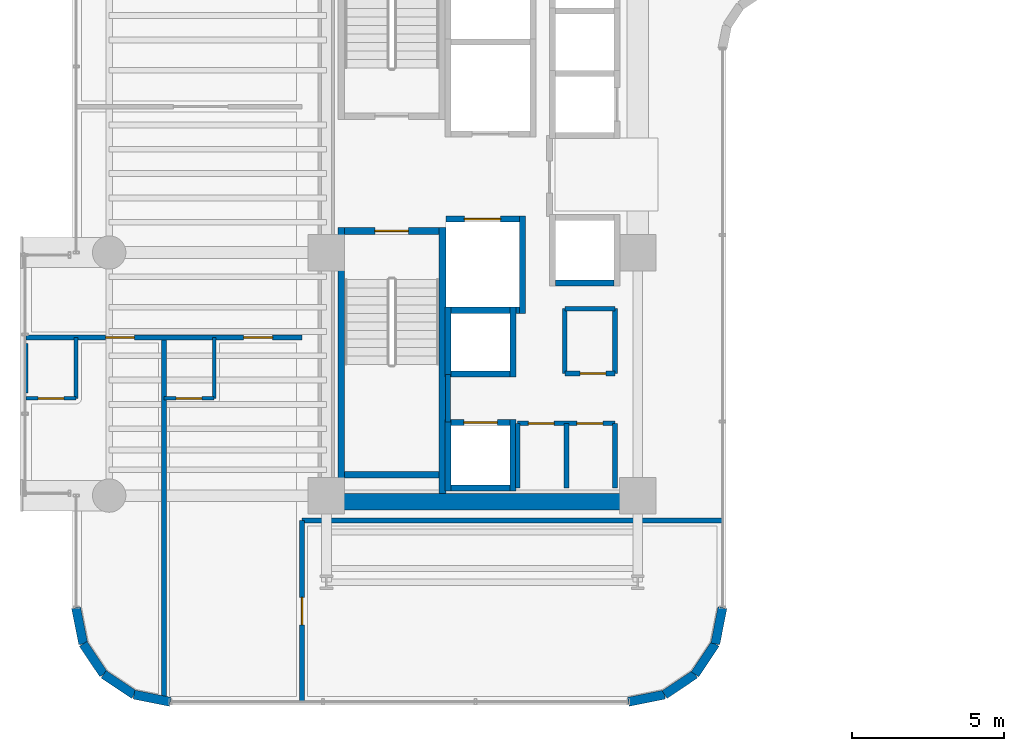
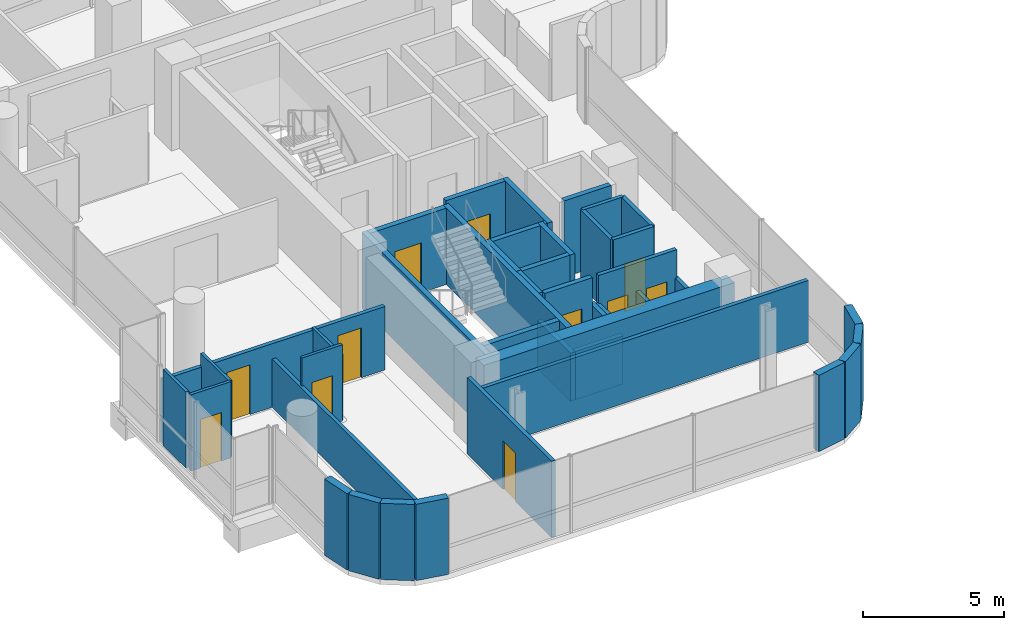
# One storey, part 27 of 35: 42 walls, 11 doors, 11 openings.
"""IFC4 building model written with IfcOpenShell, lengths in metres."""

from ifc_helpers import new_model, si_unit, direction, frame, frame_2d, origin, place, context, subcontext, project, spatial, rectangle, extrude, material, layer, layer_set, type_object, element, fill, save


model = new_model("IFC4")

# Units and contexts
model_context = context("Model", 3, precision=1e-05, world=origin(), true_north=direction((0.0, 1.0)))
body_context = subcontext(model_context, "Body", "Model", "MODEL_VIEW")
ifc_project = project(units=[si_unit("LENGTHUNIT", "METRE"), si_unit("AREAUNIT", "SQUARE_METRE"), si_unit("VOLUMEUNIT", "CUBIC_METRE"), si_unit("PLANEANGLEUNIT", "RADIAN"), si_unit("MASSUNIT", "GRAM", prefix="KILO")], contexts=[model_context])

# Site, building, storey
site_placement = place(None, origin())
site = spatial("IfcSite", under=ifc_project, at=site_placement, CompositionType="ELEMENT")
building_placement = place(site_placement, origin())
building = spatial("IfcBuilding", under=site, at=building_placement, Name="Valdorenza Pilgrim Sanctuary Tower", CompositionType="ELEMENT")
storey_placement = place(building_placement, frame((0.0, 0.0, 168.60009765625)))
storey = spatial("IfcBuildingStorey", under=building, at=storey_placement, Name="L43", CompositionType="ELEMENT", Elevation=168.60009765625)

# Wall
ifc_material_1 = material(Name="Acoustic twin-stud gypsum partition", Category="gypsum")
ifc_layer_1 = layer(ifc_material_1, 0.159912109375, Name="Acoustic twin-stud gypsum partition")
ifc_layer_set_1 = layer_set([ifc_layer_1], Name="Acoustic twin-stud gypsum partition")
wall_type_1 = type_object("IfcWallType", Name="WAL-COR-160", PredefinedType="PARTITIONING", material=ifc_layer_set_1)
wall_1_placement = place(storey_placement, frame((-18.64990234375, -8.179931640625, 0.0), z_axis=(0.0, 0.0, 1.0), x_axis=(0.0, 1.0, 0.0)))
element("IfcWall", 1, at=wall_1_placement, inside=storey, type_object=wall_type_1, Name="L43 Core A South Lift Hall West Wall", PredefinedType="PARTITIONING", context=body_context, shape_type="SweptSolid", body=[
    extrude(rectangle(XDim=1.559814453125, YDim=0.159912109375, at=frame_2d((0.77978515625, 0.0))), origin(), (0.0, 0.0, 1.0), 3.2998046875),
])

# Wall, openings, doors
wall_2_placement = place(storey_placement, frame((-16.35009765625, -8.219970703125, 0.0), z_axis=(0.0, 0.0, 1.0), x_axis=(1.0, 0.0, 0.0)))
wall_2 = element("IfcWall", 2, at=wall_2_placement, inside=storey, type_object=wall_type_1, Name="L43 Freed Shaft 1 North Wall", PredefinedType="PARTITIONING", context=body_context, shape_type="SweptSolid", body=[
    extrude(rectangle(XDim=3.2001953125, YDim=0.159912109375, at=frame_2d((1.60009765625, 0.0))), origin(), (0.0, 0.0, 1.0), 3.2998046875),
])
opening_1_placement = place(wall_2_placement, frame((0.35009765625, 0.0, 0.0)))
opening_1 = element("IfcOpeningElement", 3, at=opening_1_placement, cuts=wall_2, Name="Opening DR-RS1", PredefinedType="OPENING", context=body_context, shape_type="SweptSolid", body=[
    extrude(rectangle(XDim=0.85009765625, YDim=2.050048828125, at=frame_2d((0.425048828125, 1.02490234375))), frame((0.0, 0.0947265625, 0.0), z_axis=(0.0, -1.0, 0.0), x_axis=(1.0, 0.0, 0.0)), (0.0, 0.0, 1.0), 0.189697265625),
])
opening_2_placement = place(wall_2_placement, frame((1.949951171875, 0.0, 0.0)))
opening_2 = element("IfcOpeningElement", 4, at=opening_2_placement, cuts=wall_2, Name="Opening DR-RS1", PredefinedType="OPENING", context=body_context, shape_type="SweptSolid", body=[
    extrude(rectangle(XDim=0.85009765625, YDim=2.050048828125, at=frame_2d((0.425048828125, 1.02490234375))), frame((0.0, 0.0947265625, 0.0), z_axis=(0.0, -1.0, 0.0), x_axis=(1.0, 0.0, 0.0)), (0.0, 0.0, 1.0), 0.189697265625),
])
ifc_material_2 = material(Name="Painted galvanized steel", Category="steel")
door_type_1 = type_object("IfcDoorType", Name="DR-RSR-850", OperationType="NOTDEFINED", PredefinedType="DOOR", material=ifc_material_2)
door_1_placement = place(opening_1_placement, origin())
door_1 = element("IfcDoor", 5, at=door_1_placement, inside=storey, type_object=door_type_1, Name="L43 Linen Store Door", OperationType="SINGLE_SWING_LEFT", OverallHeight=2.050048828125, OverallWidth=0.85009765625, PredefinedType="DOOR", context=body_context, shape_type="SweptSolid", body=[
    extrude(rectangle(XDim=0.85009765625, YDim=2.050048828125, at=frame_2d((0.425048828125, 1.02490234375))), frame((0.0, 0.02490234375, 0.0), z_axis=(0.0, -1.0, 0.0), x_axis=(1.0, 0.0, 0.0)), (0.0, 0.0, 1.0), 0.050048828125),
])
fill(opening_1, door_1)
door_2_placement = place(opening_2_placement, origin())
door_2 = element("IfcDoor", 6, at=door_2_placement, inside=storey, type_object=door_type_1, Name="L43 Cot Store Door", OperationType="SINGLE_SWING_RIGHT", OverallHeight=2.050048828125, OverallWidth=0.85009765625, PredefinedType="DOOR", context=body_context, shape_type="SweptSolid", body=[
    extrude(rectangle(XDim=0.85009765625, YDim=2.050048828125, at=frame_2d((0.425048828125, 1.02490234375))), frame((0.0, 0.02490234375, 0.0), z_axis=(0.0, -1.0, 0.0), x_axis=(1.0, 0.0, 0.0)), (0.0, 0.0, 1.0), 0.050048828125),
])
fill(opening_2, door_2)

# Walls
for number, where, z_axis, x_axis, name in (
    (7, (-13.14990234375, -10.35009765625, 0.0), (0.0, 0.0, 1.0), (0.0, 1.0, 0.0), "L43 Freed Shaft 1 East Wall"),
    (8, (-14.75, -10.35009765625, 0.0), (0.0, 0.0, 1.0), (0.0, 1.0, 0.0), "L43 Freed Shaft 1 Split Wall"),
):
    element("IfcWall", number, at=place(storey_placement, frame(where, z_axis=z_axis, x_axis=x_axis)), inside=storey, type_object=wall_type_1, Name=name, PredefinedType="PARTITIONING", context=body_context, shape_type="SweptSolid", body=[
        extrude(rectangle(XDim=2.130126953125, YDim=0.159912109375, at=frame_2d((1.06494140625, 0.0))), origin(), (0.0, 0.0, 1.0), 2.0849609375),
    ])

# Wall, opening, door
wall_3_placement = place(storey_placement, frame((-14.800048828125, -6.580078125, 0.0), z_axis=(0.0, 0.0, 1.0), x_axis=(1.0, 0.0, 0.0)))
wall_3 = element("IfcWall", 9, at=wall_3_placement, inside=storey, type_object=wall_type_1, Name="L43 Freed Shaft 2 South Wall", PredefinedType="PARTITIONING", context=body_context, shape_type="SweptSolid", body=[
    extrude(rectangle(XDim=1.650146484375, YDim=0.159912109375, at=frame_2d((0.8251953125, 0.0))), origin(), (0.0, 0.0, 1.0), 3.2998046875),
])
opening_3_placement = place(wall_3_placement, frame((0.5, 0.0, 0.0)))
opening_3 = element("IfcOpeningElement", 10, at=opening_3_placement, cuts=wall_3, Name="Opening DR-RS1", PredefinedType="OPENING", context=body_context, shape_type="SweptSolid", body=[
    extrude(rectangle(XDim=0.85009765625, YDim=2.050048828125, at=frame_2d((0.425048828125, 1.02490234375))), frame((0.0, 0.0947265625, 0.0), z_axis=(0.0, -1.0, 0.0), x_axis=(1.0, 0.0, 0.0)), (0.0, 0.0, 1.0), 0.189697265625),
])
door_3_placement = place(opening_3_placement, origin())
door_3 = element("IfcDoor", 11, at=door_3_placement, inside=storey, type_object=door_type_1, Name="L43 Guest Tea Pantry Door", OperationType="SINGLE_SWING_LEFT", OverallHeight=2.050048828125, OverallWidth=0.85009765625, PredefinedType="DOOR", context=body_context, shape_type="SweptSolid", body=[
    extrude(rectangle(XDim=0.85009765625, YDim=2.050048828125, at=frame_2d((0.425048828125, 1.02490234375))), frame((0.0, 0.02490234375, 0.0), z_axis=(0.0, -1.0, 0.0), x_axis=(1.0, 0.0, 0.0)), (0.0, 0.0, 1.0), 0.050048828125),
])
fill(opening_3, door_3)

# Walls
wall_4_placement = place(storey_placement, frame((-13.14990234375, -6.580078125, 0.0), z_axis=(0.0, 0.0, 1.0), x_axis=(0.0, 1.0, 0.0)))
element("IfcWall", 12, at=wall_4_placement, inside=storey, type_object=wall_type_1, Name="L43 Freed Shaft 2 East Wall", PredefinedType="PARTITIONING", context=body_context, shape_type="SweptSolid", body=[
    extrude(rectangle(XDim=2.130126953125, YDim=0.159912109375, at=frame_2d((1.06494140625, 0.0))), origin(), (0.0, 0.0, 1.0), 3.2998046875),
])
wall_5_placement = place(storey_placement, frame((-23.449951171875, -11.419921875, 0.0), z_axis=(0.0, 0.0, 1.0), x_axis=(1.0, 0.0, 0.0)))
element("IfcWall", 13, at=wall_5_placement, inside=storey, type_object=wall_type_1, Name="L43 South-East Pocket North Wall", PredefinedType="PARTITIONING", context=body_context, shape_type="SweptSolid", body=[
    extrude(rectangle(XDim=13.83984375, YDim=0.159912109375, at=frame_2d((6.919921875, 0.0))), origin(), (0.0, 0.0, 1.0), 2.673828125),
])

# Wall, opening, door
wall_6_placement = place(storey_placement, frame((-23.449951171875, -17.389892578125, 0.0), z_axis=(0.0, 0.0, 1.0), x_axis=(0.0, 1.0, 0.0)))
wall_6 = element("IfcWall", 14, at=wall_6_placement, inside=storey, type_object=wall_type_1, Name="L43 South-East Pocket West Wall", PredefinedType="PARTITIONING", context=body_context, shape_type="SweptSolid", body=[
    extrude(rectangle(XDim=5.969970703125, YDim=0.159912109375, at=frame_2d((2.98486328125, 0.0))), origin(), (0.0, 0.0, 1.0), 3.2998046875),
])
opening_4_placement = place(wall_6_placement, frame((2.534912109375, 0.0, 0.0)))
opening_4 = element("IfcOpeningElement", 15, at=opening_4_placement, cuts=wall_6, Name="Opening DR-RM1", PredefinedType="OPENING", context=body_context, shape_type="SweptSolid", body=[
    extrude(rectangle(XDim=0.89990234375, YDim=2.10009765625, at=frame_2d((0.449951171875, 1.050048828125))), frame((0.0, 0.0947265625, 0.0), z_axis=(0.0, -1.0, 0.0), x_axis=(1.0, 0.0, 0.0)), (0.0, 0.0, 1.0), 0.189697265625),
])
ifc_material_3 = material(Name="Solid-core European oak timber", Category="wood")
door_type_2 = type_object("IfcDoorType", Name="DR-ROOM-900", OperationType="NOTDEFINED", PredefinedType="DOOR", material=ifc_material_3)
door_4_placement = place(opening_4_placement, origin())
door_4 = element("IfcDoor", 16, at=door_4_placement, inside=storey, type_object=door_type_2, Name="L43 South Panoramic Viewing Salon L43 Door", OperationType="SINGLE_SWING_RIGHT", OverallHeight=2.10009765625, OverallWidth=0.89990234375, PredefinedType="DOOR", context=body_context, shape_type="SweptSolid", body=[
    extrude(rectangle(XDim=0.89990234375, YDim=2.10009765625, at=frame_2d((0.449951171875, 1.050048828125))), frame((0.0, 0.02490234375, 0.0), z_axis=(0.0, -1.0, 0.0), x_axis=(1.0, 0.0, 0.0)), (0.0, 0.0, 1.0), 0.050048828125),
])
fill(opening_4, door_4)

# Wall, openings, doors
wall_7_placement = place(storey_placement, frame((-32.5400390625, -5.39990234375, 0.0), z_axis=(0.0, 0.0, 1.0), x_axis=(1.0, 0.0, 0.0)))
wall_7 = element("IfcWall", 17, at=wall_7_placement, inside=storey, type_object=wall_type_1, Name="L43 Cloister South Room Wall", PredefinedType="PARTITIONING", context=body_context, shape_type="SweptSolid", body=[
    extrude(rectangle(XDim=9.090087890625, YDim=0.159912109375, at=frame_2d((4.544921875, 0.0))), origin(), (0.0, 0.0, 1.0), 2.745849609375),
])
opening_5_placement = place(wall_7_placement, frame((2.6220703125, 0.0, 0.0)))
opening_5 = element("IfcOpeningElement", 18, at=opening_5_placement, cuts=wall_7, Name="Opening DR-UN1", PredefinedType="OPENING", context=body_context, shape_type="SweptSolid", body=[
    extrude(rectangle(XDim=0.949951171875, YDim=2.14990234375, at=frame_2d((0.47509765625, 1.074951171875))), frame((0.0, 0.0947265625, 0.0), z_axis=(0.0, -1.0, 0.0), x_axis=(1.0, 0.0, 0.0)), (0.0, 0.0, 1.0), 0.189697265625),
])
opening_6_placement = place(wall_7_placement, frame((7.16796875, 0.0, 0.0)))
opening_6 = element("IfcOpeningElement", 19, at=opening_6_placement, cuts=wall_7, Name="Opening DR-UN1", PredefinedType="OPENING", context=body_context, shape_type="SweptSolid", body=[
    extrude(rectangle(XDim=0.949951171875, YDim=2.14990234375, at=frame_2d((0.47509765625, 1.074951171875))), frame((0.0, 0.0947265625, 0.0), z_axis=(0.0, -1.0, 0.0), x_axis=(1.0, 0.0, 0.0)), (0.0, 0.0, 1.0), 0.189697265625),
])
door_type_3 = type_object("IfcDoorType", Name="DR-UNIT-950", OperationType="NOTDEFINED", PredefinedType="DOOR", material=ifc_material_3)
door_5_placement = place(opening_5_placement, origin())
door_5 = element("IfcDoor", 20, at=door_5_placement, inside=storey, type_object=door_type_3, Name="L43 Pilgrim Guest Room L43-CS1A Entrance Door", OperationType="SINGLE_SWING_RIGHT", OverallHeight=2.14990234375, OverallWidth=0.949951171875, PredefinedType="DOOR", context=body_context, shape_type="SweptSolid", body=[
    extrude(rectangle(XDim=0.949951171875, YDim=2.14990234375, at=frame_2d((0.47509765625, 1.074951171875))), frame((0.0, 0.02490234375, 0.0), z_axis=(0.0, -1.0, 0.0), x_axis=(1.0, 0.0, 0.0)), (0.0, 0.0, 1.0), 0.050048828125),
])
fill(opening_5, door_5)
door_6_placement = place(opening_6_placement, origin())
door_6 = element("IfcDoor", 21, at=door_6_placement, inside=storey, type_object=door_type_3, Name="L43 Pilgrim Guest Room L43-CS1B Entrance Door", OperationType="SINGLE_SWING_RIGHT", OverallHeight=2.14990234375, OverallWidth=0.949951171875, PredefinedType="DOOR", context=body_context, shape_type="SweptSolid", body=[
    extrude(rectangle(XDim=0.949951171875, YDim=2.14990234375, at=frame_2d((0.47509765625, 1.074951171875))), frame((0.0, 0.02490234375, 0.0), z_axis=(0.0, -1.0, 0.0), x_axis=(1.0, 0.0, 0.0)), (0.0, 0.0, 1.0), 0.050048828125),
])
fill(opening_6, door_6)

# Walls
ifc_material_4 = material(Name="Concrete C50/60", Category="concrete")
ifc_layer_2 = layer(ifc_material_4, 0.550048828125, Name="Concrete C50/60")
ifc_layer_set_2 = layer_set([ifc_layer_2], Name="Concrete C50/60")
wall_type_2 = type_object("IfcWallType", Name="WAL-COR-550", PredefinedType="SHEAR", material=ifc_layer_set_2)
wall_8_placement = place(storey_placement, frame((-22.64990234375, -10.800048828125, 0.0), z_axis=(0.0, 0.0, 1.0), x_axis=(1.0, 0.0, 0.0)))
element("IfcWall", 22, at=wall_8_placement, inside=storey, type_object=wall_type_2, Name="L43 Split Core A Shear Wall S", PredefinedType="SHEAR", context=body_context, shape_type="SweptSolid", body=[
    extrude(rectangle(XDim=10.25, YDim=0.550048828125, at=frame_2d((5.125, 0.0))), origin(), (0.0, 0.0, 1.0), 3.2998046875),
])
ifc_material_5 = material(Name="Honed travertine limestone", Category="masonry")
ifc_layer_3 = layer(ifc_material_5, 0.300048828125, Name="Honed travertine limestone")
ifc_layer_set_3 = layer_set([ifc_layer_3], Name="Honed travertine limestone")
wall_type_3 = type_object("IfcWallType", Name="WAL-EXT-300", PredefinedType="SOLIDWALL", material=ifc_layer_set_3)
wall_9_placement = place(storey_placement, frame((-9.610107421875, -14.289306640625, 0.0), z_axis=(0.0, 0.0, 1.0), x_axis=(-0.194996050505, -0.980804027463, 0.0)))
element("IfcWall", 23, at=wall_9_placement, inside=storey, type_object=wall_type_3, Name="L43 Rounded Wind-Corner Stone Pier 22", PredefinedType="SOLIDWALL", context=body_context, shape_type="SweptSolid", body=[
    extrude(rectangle(XDim=1.2158203125, YDim=0.300048828125, at=frame_2d((0.60791015625, 0.0))), origin(), (0.0, 0.0, 1.0), 3.2998046875),
])
for number, where, z_axis, x_axis, name in (
    (24, (-9.84716796875, -15.481689453125, 0.0), (0.0, 0.0, 1.0), (-0.555635100982, -0.831426265255, 0.0), "L43 Rounded Wind-Corner Stone Pier 23"),
    (25, (-10.5166015625, -16.4833984375, 0.0), (0.0, 0.0, 1.0), (-0.831426265255, -0.555635100982, 0.0), "L43 Rounded Wind-Corner Stone Pier 24"),
):
    element("IfcWall", number, at=place(storey_placement, frame(where, z_axis=z_axis, x_axis=x_axis)), inside=storey, type_object=wall_type_3, Name=name, PredefinedType="SOLIDWALL", context=body_context, shape_type="SweptSolid", body=[
        extrude(rectangle(XDim=1.204833984375, YDim=0.300048828125, at=frame_2d((0.6025390625, 0.0))), origin(), (0.0, 0.0, 1.0), 3.2998046875),
    ])
for number, where, z_axis, x_axis, name in (
    (26, (-11.518310546875, -17.15283203125, 0.0), (0.0, 0.0, 1.0), (-0.980804027463, -0.194996050505, 0.0), "L43 Rounded Wind-Corner Stone Pier 25"),
    (27, (-27.789306640625, -17.389892578125, 0.0), (0.0, 0.0, 1.0), (-0.980804027463, 0.194996050505, 0.0), "L43 Rounded Wind-Corner Stone Pier 27"),
):
    element("IfcWall", number, at=place(storey_placement, frame(where, z_axis=z_axis, x_axis=x_axis)), inside=storey, type_object=wall_type_3, Name=name, PredefinedType="SOLIDWALL", context=body_context, shape_type="SweptSolid", body=[
        extrude(rectangle(XDim=1.2158203125, YDim=0.300048828125, at=frame_2d((0.60791015625, 0.0))), origin(), (0.0, 0.0, 1.0), 3.2998046875),
    ])
for number, where, z_axis, x_axis, name in (
    (28, (-28.981689453125, -17.15283203125, 0.0), (0.0, 0.0, 1.0), (-0.831426265255, 0.555635100982, 0.0), "L43 Rounded Wind-Corner Stone Pier 28"),
    (29, (-29.9833984375, -16.4833984375, 0.0), (0.0, 0.0, 1.0), (-0.555635100982, 0.831426265255, 0.0), "L43 Rounded Wind-Corner Stone Pier 29"),
):
    element("IfcWall", number, at=place(storey_placement, frame(where, z_axis=z_axis, x_axis=x_axis)), inside=storey, type_object=wall_type_3, Name=name, PredefinedType="SOLIDWALL", context=body_context, shape_type="SweptSolid", body=[
        extrude(rectangle(XDim=1.204833984375, YDim=0.300048828125, at=frame_2d((0.6025390625, 0.0))), origin(), (0.0, 0.0, 1.0), 3.2998046875),
    ])
wall_10_placement = place(storey_placement, frame((-30.65283203125, -15.481689453125, 0.0), z_axis=(0.0, 0.0, 1.0), x_axis=(-0.194996050505, 0.980804027463, 0.0)))
element("IfcWall", 30, at=wall_10_placement, inside=storey, type_object=wall_type_3, Name="L43 Rounded Wind-Corner Stone Pier 30", PredefinedType="SOLIDWALL", context=body_context, shape_type="SweptSolid", body=[
    extrude(rectangle(XDim=1.2158203125, YDim=0.300048828125, at=frame_2d((0.60791015625, 0.0))), origin(), (0.0, 0.0, 1.0), 3.2998046875),
])
ifc_material_6 = material(Name="Moisture-resistant gypsum partition", Category="gypsum")
ifc_layer_4 = layer(ifc_material_6, 0.1201171875, Name="Moisture-resistant gypsum partition")
ifc_layer_set_4 = layer_set([ifc_layer_4], Name="Moisture-resistant gypsum partition")
wall_type_4 = type_object("IfcWallType", Name="WAL-INT-120", PredefinedType="PARTITIONING", material=ifc_layer_set_4)
wall_11_placement = place(storey_placement, frame((-30.889892578125, -7.39990234375, 0.0), z_axis=(0.0, 0.0, 1.0), x_axis=(0.0, 1.0, 0.0)))
element("IfcWall", 31, at=wall_11_placement, inside=storey, type_object=wall_type_4, Name="L43 Pilgrim Guest Room L43-CS1A En-suite East Wall", PredefinedType="PARTITIONING", context=body_context, shape_type="SweptSolid", body=[
    extrude(rectangle(XDim=2.0, YDim=0.1201171875, at=frame_2d((1.0, 0.0))), origin(), (0.0, 0.0, 1.0), 3.2998046875),
])

# Wall, opening, door
wall_12_placement = place(storey_placement, frame((-32.5400390625, -7.39990234375, 0.0), z_axis=(0.0, 0.0, 1.0), x_axis=(1.0, 0.0, 0.0)))
wall_12 = element("IfcWall", 32, at=wall_12_placement, inside=storey, type_object=wall_type_4, Name="L43 Pilgrim Guest Room L43-CS1A En-suite Door Wall", PredefinedType="PARTITIONING", context=body_context, shape_type="SweptSolid", body=[
    extrude(rectangle(XDim=1.650146484375, YDim=0.1201171875, at=frame_2d((0.8251953125, 0.0))), origin(), (0.0, 0.0, 1.0), 3.2998046875),
])
opening_7_placement = place(wall_12_placement, frame((0.39990234375, 0.0, 0.0)))
opening_7 = element("IfcOpeningElement", 33, at=opening_7_placement, cuts=wall_12, Name="Opening DR-WC1", PredefinedType="OPENING", context=body_context, shape_type="SweptSolid", body=[
    extrude(rectangle(XDim=0.85009765625, YDim=2.10009765625, at=frame_2d((0.425048828125, 1.050048828125))), frame((0.0, 0.074951171875, 0.0), z_axis=(0.0, -1.0, 0.0), x_axis=(1.0, 0.0, 0.0)), (0.0, 0.0, 1.0), 0.14990234375),
])
ifc_material_7 = material(Name="Moisture-resistant lacquered timber", Category="wood")
door_type_4 = type_object("IfcDoorType", Name="DR-BATH-850", OperationType="NOTDEFINED", PredefinedType="DOOR", material=ifc_material_7)
door_7_placement = place(opening_7_placement, origin())
door_7 = element("IfcDoor", 34, at=door_7_placement, inside=storey, type_object=door_type_4, Name="L43 Pilgrim Guest Room L43-CS1A En-suite Bathroom Door", OperationType="SINGLE_SWING_LEFT", OverallHeight=2.10009765625, OverallWidth=0.85009765625, PredefinedType="DOOR", context=body_context, shape_type="SweptSolid", body=[
    extrude(rectangle(XDim=0.85009765625, YDim=2.10009765625, at=frame_2d((0.425048828125, 1.050048828125))), frame((0.0, 0.02490234375, 0.0), z_axis=(0.0, -1.0, 0.0), x_axis=(1.0, 0.0, 0.0)), (0.0, 0.0, 1.0), 0.050048828125),
])
fill(opening_7, door_7)

# Walls
wall_13_placement = place(storey_placement, frame((-32.5400390625, -7.219970703125, 0.0), z_axis=(0.0, 0.0, 1.0), x_axis=(0.0, 1.0, 0.0)))
element("IfcWall", 35, at=wall_13_placement, inside=storey, type_object=wall_type_4, Name="L43 CL-SG1A-ENS Enclosure Wall W", PredefinedType="PARTITIONING", context=body_context, shape_type="SweptSolid", body=[
    extrude(rectangle(XDim=1.619873046875, YDim=0.1201171875, at=frame_2d((0.81005859375, 0.0))), origin(), (0.0, 0.0, 1.0), 3.2998046875),
])
wall_14_placement = place(storey_placement, frame((-26.344970703125, -7.39990234375, 0.0), z_axis=(0.0, 0.0, 1.0), x_axis=(0.0, 1.0, 0.0)))
element("IfcWall", 36, at=wall_14_placement, inside=storey, type_object=wall_type_4, Name="L43 Pilgrim Guest Room L43-CS1B En-suite East Wall", PredefinedType="PARTITIONING", context=body_context, shape_type="SweptSolid", body=[
    extrude(rectangle(XDim=2.0, YDim=0.1201171875, at=frame_2d((1.0, 0.0))), origin(), (0.0, 0.0, 1.0), 2.827880859375),
])

# Wall, opening, door
wall_15_placement = place(storey_placement, frame((-27.9951171875, -7.39990234375, 0.0), z_axis=(0.0, 0.0, 1.0), x_axis=(1.0, 0.0, 0.0)))
wall_15 = element("IfcWall", 37, at=wall_15_placement, inside=storey, type_object=wall_type_4, Name="L43 Pilgrim Guest Room L43-CS1B En-suite Door Wall", PredefinedType="PARTITIONING", context=body_context, shape_type="SweptSolid", body=[
    extrude(rectangle(XDim=1.650146484375, YDim=0.1201171875, at=frame_2d((0.8251953125, 0.0))), origin(), (0.0, 0.0, 1.0), 3.2998046875),
])
opening_8_placement = place(wall_15_placement, frame((0.39990234375, 0.0, 0.0)))
opening_8 = element("IfcOpeningElement", 38, at=opening_8_placement, cuts=wall_15, Name="Opening DR-WC1", PredefinedType="OPENING", context=body_context, shape_type="SweptSolid", body=[
    extrude(rectangle(XDim=0.85009765625, YDim=2.10009765625, at=frame_2d((0.425048828125, 1.050048828125))), frame((0.0, 0.074951171875, 0.0), z_axis=(0.0, -1.0, 0.0), x_axis=(1.0, 0.0, 0.0)), (0.0, 0.0, 1.0), 0.14990234375),
])
door_8_placement = place(opening_8_placement, origin())
door_8 = element("IfcDoor", 39, at=door_8_placement, inside=storey, type_object=door_type_4, Name="L43 Pilgrim Guest Room L43-CS1B En-suite Bathroom Door", OperationType="SINGLE_SWING_LEFT", OverallHeight=2.10009765625, OverallWidth=0.85009765625, PredefinedType="DOOR", context=body_context, shape_type="SweptSolid", body=[
    extrude(rectangle(XDim=0.85009765625, YDim=2.10009765625, at=frame_2d((0.425048828125, 1.050048828125))), frame((0.0, 0.02490234375, 0.0), z_axis=(0.0, -1.0, 0.0), x_axis=(1.0, 0.0, 0.0)), (0.0, 0.0, 1.0), 0.050048828125),
])
fill(opening_8, door_8)

# Walls
ifc_material_8 = material(Name="Autoclaved aerated concrete blockwork", Category="masonry")
ifc_layer_5 = layer(ifc_material_8, 0.199951171875, Name="Autoclaved aerated concrete blockwork")
ifc_layer_set_5 = layer_set([ifc_layer_5], Name="Autoclaved aerated concrete blockwork")
wall_type_5 = type_object("IfcWallType", Name="WAL-SHF-200", PredefinedType="MOVABLE", material=ifc_layer_set_5)
wall_16_placement = place(storey_placement, frame((-16.199951171875, -4.60009765625, 0.0), z_axis=(0.0, 0.0, 1.0), x_axis=(0.0, 1.0, 0.0)))
element("IfcWall", 40, at=wall_16_placement, inside=storey, type_object=wall_type_5, Name="L43 Lift FFL-02 Hoistway Wall East", PredefinedType="MOVABLE", context=body_context, shape_type="SweptSolid", body=[
    extrude(rectangle(XDim=3.2001953125, YDim=0.199951171875, at=frame_2d((1.60009765625, 0.0))), origin(), (0.0, 0.0, 1.0), 3.2998046875),
])
wall_17_placement = place(storey_placement, frame((-18.719970703125, -4.5, 0.0), z_axis=(0.0, 0.0, 1.0), x_axis=(1.0, 0.0, 0.0)))
element("IfcWall", 41, at=wall_17_placement, inside=storey, type_object=wall_type_5, Name="L43 Lift FFL-02 Hoistway Wall South", PredefinedType="MOVABLE", context=body_context, shape_type="SweptSolid", body=[
    extrude(rectangle(XDim=2.419921875, YDim=0.199951171875, at=frame_2d((1.2099609375, 0.0))), origin(), (0.0, 0.0, 1.0), 3.2998046875),
])

# Wall, opening, door
wall_18_placement = place(storey_placement, frame((-18.719970703125, -1.5, 0.0), z_axis=(0.0, 0.0, 1.0), x_axis=(1.0, 0.0, 0.0)))
wall_18 = element("IfcWall", 42, at=wall_18_placement, inside=storey, type_object=wall_type_5, Name="L43 Lift FFL-02 Hoistway Wall North", PredefinedType="MOVABLE", context=body_context, shape_type="SweptSolid", body=[
    extrude(rectangle(XDim=2.419921875, YDim=0.199951171875, at=frame_2d((1.2099609375, 0.0))), origin(), (0.0, 0.0, 1.0), 3.2998046875),
])
opening_9_placement = place(wall_18_placement, frame((0.610107421875, 0.0, 0.0)))
opening_9 = element("IfcOpeningElement", 43, at=opening_9_placement, cuts=wall_18, Name="Opening LD-02", PredefinedType="OPENING", context=body_context, shape_type="SweptSolid", body=[
    extrude(rectangle(XDim=1.199951171875, YDim=2.10009765625, at=frame_2d((0.60009765625, 1.050048828125))), frame((0.0, 0.11474609375, 0.0), z_axis=(0.0, -1.0, 0.0), x_axis=(1.0, 0.0, 0.0)), (0.0, 0.0, 1.0), 0.229736328125),
])
ifc_material_9 = material(Name="Brushed stainless steel Grade 316", Category="steel")
door_type_5 = type_object("IfcDoorType", Name="DR-LFT-1200", OperationType="DOUBLE_DOOR_SLIDING", PredefinedType="DOOR", material=ifc_material_9)
door_9_placement = place(opening_9_placement, origin())
door_9 = element("IfcDoor", 44, at=door_9_placement, inside=storey, type_object=door_type_5, Name="L43 Lift FFL-02 Sliding Landing Door", OperationType="DOUBLE_DOOR_SLIDING", OverallHeight=2.10009765625, OverallWidth=1.199951171875, PredefinedType="DOOR", context=body_context, shape_type="SweptSolid", body=[
    extrude(rectangle(XDim=1.199951171875, YDim=2.10009765625, at=frame_2d((0.60009765625, 1.050048828125))), frame((0.0, 0.02490234375, 0.0), z_axis=(0.0, -1.0, 0.0), x_axis=(1.0, 0.0, 0.0)), (0.0, 0.0, 1.0), 0.050048828125),
])
fill(opening_9, door_9)

# Walls
for number, where, z_axis, x_axis, name in (
    (45, (-18.64990234375, -10.449951171875, 0.0), (0.0, 0.0, 1.0), (0.0, 1.0, 0.0), "L43 Lift PL-05 Hoistway Wall West"),
    (46, (-16.5, -10.449951171875, 0.0), (0.0, 0.0, 1.0), (0.0, 1.0, 0.0), "L43 Lift PL-05 Hoistway Wall East"),
):
    element("IfcWall", number, at=place(storey_placement, frame(where, z_axis=z_axis, x_axis=x_axis)), inside=storey, type_object=wall_type_5, Name=name, PredefinedType="MOVABLE", context=body_context, shape_type="SweptSolid", body=[
        extrude(rectangle(XDim=2.349853515625, YDim=0.199951171875, at=frame_2d((1.1748046875, 0.0))), origin(), (0.0, 0.0, 1.0), 2.0849609375),
    ])
wall_19_placement = place(storey_placement, frame((-18.550048828125, -10.35009765625, 0.0), z_axis=(0.0, 0.0, 1.0), x_axis=(1.0, 0.0, 0.0)))
element("IfcWall", 47, at=wall_19_placement, inside=storey, type_object=wall_type_5, Name="L43 Lift PL-05 Hoistway Wall South", PredefinedType="MOVABLE", context=body_context, shape_type="SweptSolid", body=[
    extrude(rectangle(XDim=1.949951171875, YDim=0.199951171875, at=frame_2d((0.97509765625, 0.0))), origin(), (0.0, 0.0, 1.0), 2.0849609375),
])

# Wall, opening, door
wall_20_placement = place(storey_placement, frame((-18.550048828125, -8.199951171875, 0.0), z_axis=(0.0, 0.0, 1.0), x_axis=(1.0, 0.0, 0.0)))
wall_20 = element("IfcWall", 48, at=wall_20_placement, inside=storey, type_object=wall_type_5, Name="L43 Lift PL-05 Hoistway Wall North", PredefinedType="MOVABLE", context=body_context, shape_type="SweptSolid", body=[
    extrude(rectangle(XDim=1.949951171875, YDim=0.199951171875, at=frame_2d((0.97509765625, 0.0))), origin(), (0.0, 0.0, 1.0), 3.2998046875),
])
opening_10_placement = place(wall_20_placement, frame((0.425048828125, 0.0, 0.0)))
opening_10 = element("IfcOpeningElement", 49, at=opening_10_placement, cuts=wall_20, Name="Opening LD-01", PredefinedType="OPENING", context=body_context, shape_type="SweptSolid", body=[
    extrude(rectangle(XDim=1.10009765625, YDim=2.10009765625, at=frame_2d((0.550048828125, 1.050048828125))), frame((0.0, 0.11474609375, 0.0), z_axis=(0.0, -1.0, 0.0), x_axis=(1.0, 0.0, 0.0)), (0.0, 0.0, 1.0), 0.229736328125),
])
door_type_6 = type_object("IfcDoorType", Name="DR-LFT-1100", OperationType="DOUBLE_DOOR_SLIDING", PredefinedType="DOOR", material=ifc_material_9)
door_10_placement = place(opening_10_placement, origin())
door_10 = element("IfcDoor", 50, at=door_10_placement, inside=storey, type_object=door_type_6, Name="L43 Lift PL-05 Sliding Landing Door", OperationType="DOUBLE_DOOR_SLIDING", OverallHeight=2.10009765625, OverallWidth=1.10009765625, PredefinedType="DOOR", context=body_context, shape_type="SweptSolid", body=[
    extrude(rectangle(XDim=1.10009765625, YDim=2.10009765625, at=frame_2d((0.550048828125, 1.050048828125))), frame((0.0, 0.02490234375, 0.0), z_axis=(0.0, -1.0, 0.0), x_axis=(1.0, 0.0, 0.0)), (0.0, 0.0, 1.0), 0.050048828125),
])
fill(opening_10, door_10)

# Walls
for number, where, z_axis, x_axis, name in (
    (51, (-18.64990234375, -6.699951171875, 0.0), (0.0, 0.0, 1.0), (0.0, 1.0, 0.0), "L43 Lift PL-11 Hoistway Wall West"),
    (52, (-16.5, -6.699951171875, 0.0), (0.0, 0.0, 1.0), (0.0, 1.0, 0.0), "L43 Lift PL-11 Hoistway Wall East"),
):
    element("IfcWall", number, at=place(storey_placement, frame(where, z_axis=z_axis, x_axis=x_axis)), inside=storey, type_object=wall_type_5, Name=name, PredefinedType="MOVABLE", context=body_context, shape_type="SweptSolid", body=[
        extrude(rectangle(XDim=2.300048828125, YDim=0.199951171875, at=frame_2d((1.14990234375, 0.0))), origin(), (0.0, 0.0, 1.0), 3.2998046875),
    ])
wall_21_placement = place(storey_placement, frame((-18.550048828125, -6.60009765625, 0.0), z_axis=(0.0, 0.0, 1.0), x_axis=(1.0, 0.0, 0.0)))
element("IfcWall", 53, at=wall_21_placement, inside=storey, type_object=wall_type_5, Name="L43 Lift PL-11 Hoistway Wall South", PredefinedType="MOVABLE", context=body_context, shape_type="SweptSolid", body=[
    extrude(rectangle(XDim=1.949951171875, YDim=0.199951171875, at=frame_2d((0.97509765625, 0.0))), origin(), (0.0, 0.0, 1.0), 3.2998046875),
])
wall_22_placement = place(storey_placement, frame((-15.10009765625, -3.60009765625, 0.0), z_axis=(0.0, 0.0, 1.0), x_axis=(1.0, 0.0, 0.0)))
element("IfcWall", 54, at=wall_22_placement, inside=storey, type_object=wall_type_5, Name="L43 Lift PL-12 Hoistway Wall South", PredefinedType="MOVABLE", context=body_context, shape_type="SweptSolid", body=[
    extrude(rectangle(XDim=1.920166015625, YDim=0.199951171875, at=frame_2d((0.9599609375, 0.0))), origin(), (0.0, 0.0, 1.0), 3.2998046875),
])
ifc_material_10 = material(Name="Concrete C40/50", Category="concrete")
ifc_layer_6 = layer(ifc_material_10, 0.219970703125, Name="Concrete C40/50")
ifc_layer_set_6 = layer_set([ifc_layer_6], Name="Concrete C40/50")
wall_type_6 = type_object("IfcWallType", Name="WAL-STR-SHF-220", PredefinedType="SHEAR", material=ifc_layer_set_6)
for number, where, z_axis, x_axis, name in (
    (55, (-22.159912109375, -10.52490234375, 0.0), (0.0, 0.0, 1.0), (0.0, 1.0, 0.0), "L43 ST-A2 Structural Stairwell Wall W"),
    (56, (-18.830078125, -10.52490234375, 0.0), (0.0, 0.0, 1.0), (0.0, 1.0, 0.0), "L43 ST-A2 Structural Stairwell Wall E"),
):
    element("IfcWall", number, at=place(storey_placement, frame(where, z_axis=z_axis, x_axis=x_axis)), inside=storey, type_object=wall_type_6, Name=name, PredefinedType="SHEAR", context=body_context, shape_type="SweptSolid", body=[
        extrude(rectangle(XDim=8.744873046875, YDim=0.219970703125, at=frame_2d((4.37255859375, 0.0))), origin(), (0.0, 0.0, 1.0), 3.2998046875),
    ])
wall_23_placement = place(storey_placement, frame((-22.050048828125, -9.909912109375, 0.0), z_axis=(0.0, 0.0, 1.0), x_axis=(1.0, 0.0, 0.0)))
element("IfcWall", 57, at=wall_23_placement, inside=storey, type_object=wall_type_6, Name="L43 ST-A2 Structural Stairwell Wall S", PredefinedType="SHEAR", context=body_context, shape_type="SweptSolid", body=[
    extrude(rectangle(XDim=3.110107421875, YDim=0.219970703125, at=frame_2d((1.55517578125, 0.0))), origin(), (0.0, 0.0, 1.0), 3.2998046875),
])

# Wall, opening, door
wall_24_placement = place(storey_placement, frame((-22.050048828125, -1.889892578125, 0.0), z_axis=(0.0, 0.0, 1.0), x_axis=(1.0, 0.0, 0.0)))
wall_24 = element("IfcWall", 58, at=wall_24_placement, inside=storey, type_object=wall_type_6, Name="L43 ST-A2 Structural Stairwell Wall N", PredefinedType="SHEAR", context=body_context, shape_type="SweptSolid", body=[
    extrude(rectangle(XDim=3.110107421875, YDim=0.219970703125, at=frame_2d((1.55517578125, 0.0))), origin(), (0.0, 0.0, 1.0), 3.2998046875),
])
opening_11_placement = place(wall_24_placement, frame((1.0, 0.0, 0.0)))
opening_11 = element("IfcOpeningElement", 59, at=opening_11_placement, cuts=wall_24, Name="Opening DR-ST1", PredefinedType="OPENING", context=body_context, shape_type="SweptSolid", body=[
    extrude(rectangle(XDim=1.10009765625, YDim=2.14990234375, at=frame_2d((0.550048828125, 1.074951171875))), frame((0.0, 0.125, 0.0), z_axis=(0.0, -1.0, 0.0), x_axis=(1.0, 0.0, 0.0)), (0.0, 0.0, 1.0), 0.249755859375),
])
door_type_7 = type_object("IfcDoorType", Name="DR-STAIR-1100", OperationType="NOTDEFINED", PredefinedType="DOOR", material=ifc_material_2)
door_11_placement = place(opening_11_placement, origin())
door_11 = element("IfcDoor", 60, at=door_11_placement, inside=storey, type_object=door_type_7, Name="L43 Exit Stair ST-A2 Door", OperationType="SINGLE_SWING_RIGHT", OverallHeight=2.14990234375, OverallWidth=1.10009765625, PredefinedType="DOOR", context=body_context, shape_type="SweptSolid", body=[
    extrude(rectangle(XDim=1.10009765625, YDim=2.14990234375, at=frame_2d((0.550048828125, 1.074951171875))), frame((0.0, 0.02490234375, 0.0), z_axis=(0.0, -1.0, 0.0), x_axis=(1.0, 0.0, 0.0)), (0.0, 0.0, 1.0), 0.050048828125),
])
fill(opening_11, door_11)

# Walls
ifc_layer_7 = layer(ifc_material_1, 0.14990234375, Name="Acoustic twin-stud gypsum partition")
ifc_layer_set_7 = layer_set([ifc_layer_7], Name="Acoustic twin-stud gypsum partition")
wall_type_7 = type_object("IfcWallType", Name="WAL-UNT-150", PredefinedType="PARTITIONING", material=ifc_layer_set_7)
wall_25_placement = place(storey_placement, frame((-16.35009765625, -10.35009765625, 0.0), z_axis=(0.0, 0.0, 1.0), x_axis=(0.0, 1.0, 0.0)))
element("IfcWall", 61, at=wall_25_placement, inside=storey, type_object=wall_type_7, Name="L43 Freed Shaft 1 West Wall", PredefinedType="PARTITIONING", context=body_context, shape_type="SweptSolid", body=[
    extrude(rectangle(XDim=2.130126953125, YDim=0.14990234375, at=frame_2d((1.06494140625, 0.0))), origin(), (0.0, 0.0, 1.0), 2.0849609375),
])
wall_26_placement = place(storey_placement, frame((-14.800048828125, -6.580078125, 0.0), z_axis=(0.0, 0.0, 1.0), x_axis=(0.0, 1.0, 0.0)))
element("IfcWall", 62, at=wall_26_placement, inside=storey, type_object=wall_type_7, Name="L43 Freed Shaft 2 West Wall", PredefinedType="PARTITIONING", context=body_context, shape_type="SweptSolid", body=[
    extrude(rectangle(XDim=2.130126953125, YDim=0.14990234375, at=frame_2d((1.06494140625, 0.0))), origin(), (0.0, 0.0, 1.0), 3.2998046875),
])
wall_27_placement = place(storey_placement, frame((-14.800048828125, -4.449951171875, 0.0), z_axis=(0.0, 0.0, 1.0), x_axis=(1.0, 0.0, 0.0)))
element("IfcWall", 63, at=wall_27_placement, inside=storey, type_object=wall_type_7, Name="L43 Freed Shaft 2 North Wall", PredefinedType="PARTITIONING", context=body_context, shape_type="SweptSolid", body=[
    extrude(rectangle(XDim=1.650146484375, YDim=0.14990234375, at=frame_2d((0.8251953125, 0.0))), origin(), (0.0, 0.0, 1.0), 3.2998046875),
])
wall_28_placement = place(storey_placement, frame((-27.9951171875, -17.2216796875, 0.0), z_axis=(0.0, 0.0, 1.0), x_axis=(0.0, 1.0, 0.0)))
element("IfcWall", 64, at=wall_28_placement, inside=storey, type_object=wall_type_7, Name="L43 Pilgrim Guest Room L43-CS1 Split Wall", PredefinedType="PARTITIONING", context=body_context, shape_type="SweptSolid", body=[
    extrude(rectangle(XDim=11.82177734375, YDim=0.14990234375, at=frame_2d((5.910888671875, 0.0))), origin(), (0.0, 0.0, 1.0), 2.0849609375),
])

save(model, "model.ifc")
